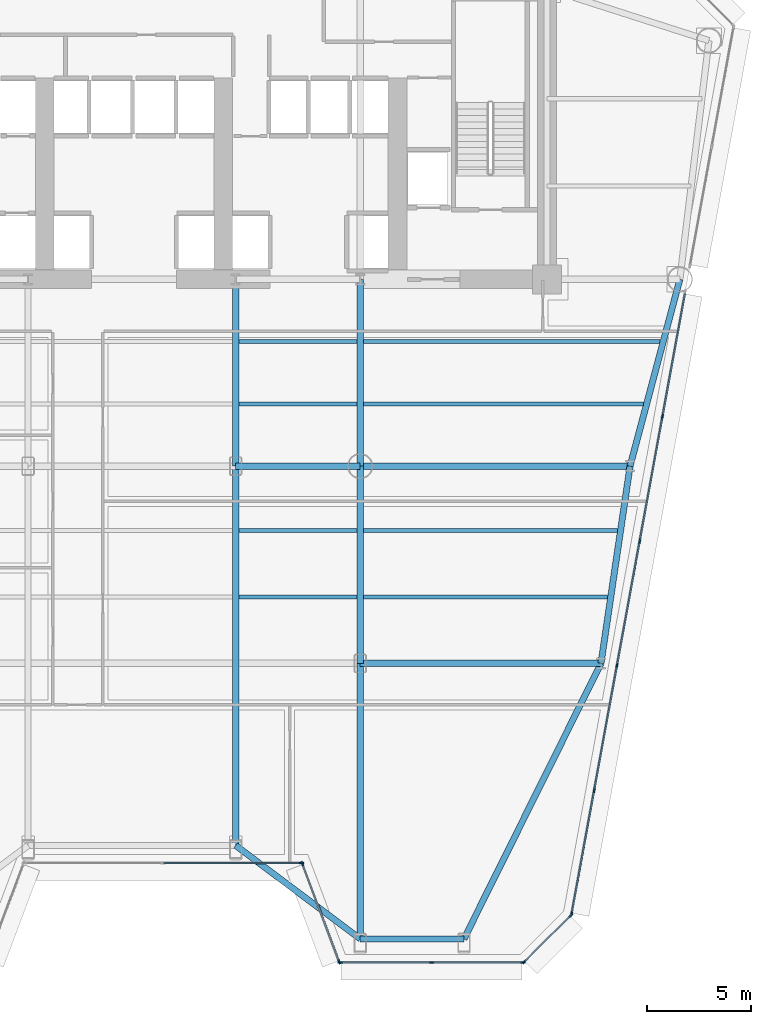
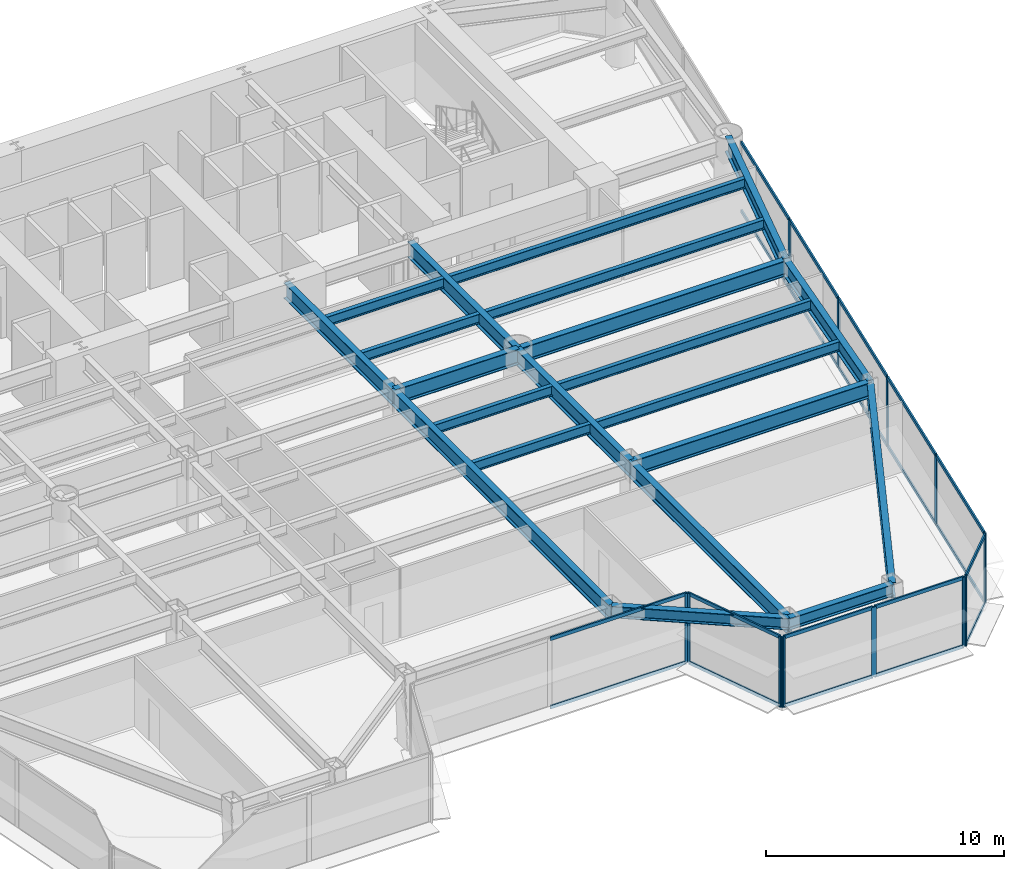
# One storey, part 4 of 14: 33 members, 21 beams, 5 elements without a shape of their own.
"""IFC4 building model written with IfcOpenShell, lengths in metres."""

import ifcopenshell
import ifcopenshell.guid

model = None  # the IFC model being written
_history = None  # IfcOwnerHistory: only IFC2X3 demands one
_inside = {}  # id of a spatial element -> (the spatial element, [elements in it])
_under = {}  # id of a project, library or spatial element -> (it, [spatial elements below it])
_declared = {}  # id of a project -> (the project, [libraries it declares])
_typed = {}  # id of a type object -> (the type object, [elements of that type])
_made_of = {}  # id of a material, layer set ... -> (it, [elements and type objects made of it])


def new_model(schema):
    """Start an empty IFC model of exactly this schema.

    Asked for "IFC4X3", IfcOpenShell would pick the latest addendum, in which some entities
    have other attributes; the version numbers below select the first issue.
    IFC2X3 requires an IfcOwnerHistory on every rooted entity: one is made here for all.
    """
    global model, _history
    if schema == "IFC4X3":
        model = ifcopenshell.file(schema_version=(4, 3, 0, 0))
    else:
        model = ifcopenshell.file(schema=schema)
    _inside.clear()
    _under.clear()
    _declared.clear()
    _typed.clear()
    _made_of.clear()
    _history = None
    if model.schema == "IFC2X3":
        org = make("IfcOrganization", Name="unknown")
        user = make(
            "IfcPersonAndOrganization",
            ThePerson=make("IfcPerson", FamilyName="unknown"),
            TheOrganization=org,
        )
        app = make(
            "IfcApplication",
            ApplicationDeveloper=org,
            Version="unknown",
            ApplicationFullName="unknown",
            ApplicationIdentifier="unknown",
        )
        _history = make(
            "IfcOwnerHistory",
            OwningUser=user,
            OwningApplication=app,
            ChangeAction="ADDED",
            CreationDate=0,
        )
    return model


def make(cls, **values):
    """One entity of the class cls with the attributes given. An attribute that is None is left unset."""
    return model.create_entity(
        cls, **{name: value for name, value in values.items() if value is not None}
    )


def rooted(cls, **values):
    """An entity with a GlobalId (a new one), such as an element, a storey or a relation."""
    return make(cls, GlobalId=ifcopenshell.guid.new(), OwnerHistory=_history, **values)


def si_unit(unit_type, name, prefix=None):
    """IfcSIUnit, for example si_unit("LENGTHUNIT", "METRE", prefix="MILLI")."""
    return make("IfcSIUnit", UnitType=unit_type, Prefix=prefix, Name=name)


def assignment(units):
    """IfcUnitAssignment: the units of a project."""
    return None if units is None else make("IfcUnitAssignment", Units=units)


def point(xyz):
    """IfcCartesianPoint."""
    return None if xyz is None else make("IfcCartesianPoint", Coordinates=xyz)


def direction(xyz):
    """IfcDirection."""
    return None if xyz is None else make("IfcDirection", DirectionRatios=xyz)


def frame(location, z_axis=None, x_axis=None):
    """IfcAxis2Placement3D, a coordinate frame: its origin and axes. An axis left out is left unset."""
    return make(
        "IfcAxis2Placement3D",
        Location=point(location),
        Axis=direction(z_axis),
        RefDirection=direction(x_axis),
    )


def frame_2d(location, x_axis=None):
    """IfcAxis2Placement2D, a coordinate frame in the plane: its origin and x axis."""
    return make(
        "IfcAxis2Placement2D", Location=point(location), RefDirection=direction(x_axis)
    )


def origin():
    """The frame at (0, 0, 0) with its axes left unset."""
    return frame((0.0, 0.0, 0.0))


def origin_2d():
    """The frame at (0, 0) in the plane with its x axis left unset."""
    return frame_2d((0.0, 0.0))


def place(relative_to, where):
    """IfcLocalPlacement: puts the frame where relative to a parent placement (None: the world)."""
    return make(
        "IfcLocalPlacement", PlacementRelTo=relative_to, RelativePlacement=where
    )


def context(
    kind, dimensions, precision=None, world=None, true_north=None, identifier=None
):
    """IfcGeometricRepresentationContext, for example the 3D "Model" context."""
    return make(
        "IfcGeometricRepresentationContext",
        ContextIdentifier=identifier,
        ContextType=kind,
        CoordinateSpaceDimension=dimensions,
        Precision=precision,
        WorldCoordinateSystem=world,
        TrueNorth=true_north,
    )


def subcontext(parent, identifier, kind, view, scale=None):
    """IfcGeometricRepresentationSubContext, for example "Body" below "Model"."""
    return make(
        "IfcGeometricRepresentationSubContext",
        ContextIdentifier=identifier,
        ContextType=kind,
        ParentContext=parent,
        TargetScale=scale,
        TargetView=view,
    )


def project(units=None, contexts=None):
    """IfcProject with its units and contexts."""
    return rooted(
        "IfcProject",
        Name="project",
        RepresentationContexts=contexts,
        UnitsInContext=assignment(units),
    )


def spatial(cls, under=None, at=None, **own):
    """A site, building, storey or space (cls), placed at a placement, below another one or the project."""
    s = rooted(cls, ObjectPlacement=at, **own)
    if under is not None:
        _under.setdefault(under.id(), (under, []))[1].append(s)
    return s


def profile(cls, at=None, kind="AREA", **sizes):
    """A parametric profile (cls). Its sizes go by their IFC names, for example OverallWidth=200.0."""
    return make(cls, ProfileType=kind, Position=at, **sizes)


def rectangle(**sizes):
    """IfcRectangleProfileDef."""
    return profile("IfcRectangleProfileDef", **sizes)


def i_section(**sizes):
    """IfcIShapeProfileDef."""
    return profile("IfcIShapeProfileDef", **sizes)


def extrude(swept, where, along, depth):
    """IfcExtrudedAreaSolid: the profile swept, set in the frame where, extruded along a direction by depth."""
    return make(
        "IfcExtrudedAreaSolid",
        SweptArea=swept,
        Position=where,
        ExtrudedDirection=direction(along),
        Depth=depth,
    )


def shape(context_of_items, identifier, shape_type, items):
    """IfcShapeRepresentation: the items that make up one representation, for example the "Body"."""
    return make(
        "IfcShapeRepresentation",
        ContextOfItems=context_of_items,
        RepresentationIdentifier=identifier,
        RepresentationType=shape_type,
        Items=items,
    )


def source(mapping_origin, context_of_items, identifier, shape_type, items):
    """IfcRepresentationMap: a shape defined once, which mapped items show again and again."""
    return make(
        "IfcRepresentationMap",
        MappingOrigin=mapping_origin,
        MappedRepresentation=shape(context_of_items, identifier, shape_type, items),
    )


def transform(
    local_origin,
    x_axis=None,
    y_axis=None,
    z_axis=None,
    scale=None,
    scale2=None,
    scale3=None,
    uniform=True,
):
    """IfcCartesianTransformationOperator3D, or its non-uniform kind. x_axis, y_axis, z_axis: its Axis1, 2, 3."""
    if uniform:
        return make(
            "IfcCartesianTransformationOperator3D",
            Axis1=direction(x_axis),
            Axis2=direction(y_axis),
            LocalOrigin=point(local_origin),
            Scale=scale,
            Axis3=direction(z_axis),
        )
    return make(
        "IfcCartesianTransformationOperator3DnonUniform",
        Axis1=direction(x_axis),
        Axis2=direction(y_axis),
        LocalOrigin=point(local_origin),
        Scale=scale,
        Axis3=direction(z_axis),
        Scale2=scale2,
        Scale3=scale3,
    )


def mapped(mapping_source, mapping_target):
    """IfcMappedItem: shows the shape of a source again, moved by a transform."""
    return make(
        "IfcMappedItem", MappingSource=mapping_source, MappingTarget=mapping_target
    )


def material(Name=None, Category=None):
    """IfcMaterial."""
    return make("IfcMaterial", Name=Name, Category=Category)


def layer(
    of_material, thickness, ventilated=None, Name=None, Category=None, Priority=None
):
    """IfcMaterialLayer: one layer of a wall or slab, of a material (None: an air gap)."""
    return make(
        "IfcMaterialLayer",
        Material=of_material,
        LayerThickness=thickness,
        IsVentilated=ventilated,
        Name=Name,
        Category=Category,
        Priority=Priority,
    )


def layer_set(layers, Name=None):
    """IfcMaterialLayerSet."""
    return make("IfcMaterialLayerSet", MaterialLayers=layers, LayerSetName=Name)


def material_profile(
    of_material, cross_section, Name=None, Category=None, Priority=None
):
    """IfcMaterialProfile: a cross section and its material."""
    return make(
        "IfcMaterialProfile",
        Name=Name,
        Material=of_material,
        Profile=cross_section,
        Priority=Priority,
        Category=Category,
    )


def profile_set(profiles, Name=None, composite=None):
    """IfcMaterialProfileSet."""
    return make(
        "IfcMaterialProfileSet",
        Name=Name,
        MaterialProfiles=profiles,
        CompositeProfile=composite,
    )


def made_of(thing, what):
    """Note that an element or type object is made of a material, layer set ...; save() writes the relation."""
    if what is not None:
        _made_of.setdefault(what.id(), (what, []))[1].append(thing)
    return thing


def type_object(cls, material=None, **own):
    """A type object (cls), such as IfcWallType, which elements share."""
    return made_of(rooted(cls, **own), material)


def element(
    cls,
    number,
    at=None,
    inside=None,
    cuts=None,
    type_object=None,
    material=None,
    context=None,
    identifier="Body",
    shape_type=None,
    held_by="IfcProductDefinitionShape",
    body=None,
    shapes=None,
    **own,
):
    """One element of the class cls, such as IfcWall. Its Tag is "e" and its number.

    at: its placement. inside: the storey or other place that contains it. cuts: it is an
    opening in that element (IfcRelVoidsElement). A single representation is given by context,
    identifier, shape_type and body (its items); several are given by shapes. held_by: the class
    of the entity that holds the representations. save() writes the other relations.
    """
    e = rooted(cls, Tag="e%d" % number, ObjectPlacement=at, **own)
    if body is not None:
        shapes = [shape(context, identifier, shape_type, body)]
    if shapes is not None:
        e.Representation = make(held_by, Representations=shapes)
    if inside is not None:
        _inside.setdefault(inside.id(), (inside, []))[1].append(e)
    if cuts is not None:
        rooted(
            "IfcRelVoidsElement", RelatingBuildingElement=cuts, RelatedOpeningElement=e
        )
    if type_object is not None:
        _typed.setdefault(type_object.id(), (type_object, []))[1].append(e)
    return made_of(e, material)


def aggregate(whole, parts):
    """IfcRelAggregates: a whole, such as a stair, and the parts it consists of."""
    return rooted("IfcRelAggregates", RelatingObject=whole, RelatedObjects=parts)


def save(model, path):
    """Write the relations noted so far, then the file.

    IfcRelAggregates (storeys below a building ...), IfcRelContainedInSpatialStructure (elements
    in a storey), IfcRelDefinesByType, IfcRelAssociatesMaterial and IfcRelDeclares: one each for
    every whole, place, type object, material and project.
    """
    for whole, parts in _under.values():
        aggregate(whole, parts)
    for where, things in _inside.values():
        rooted(
            "IfcRelContainedInSpatialStructure",
            RelatedElements=things,
            RelatingStructure=where,
        )
    for kind, things in _typed.values():
        rooted("IfcRelDefinesByType", RelatedObjects=things, RelatingType=kind)
    for what, things in _made_of.values():
        rooted("IfcRelAssociatesMaterial", RelatedObjects=things, RelatingMaterial=what)
    for by, libraries in _declared.values():
        rooted("IfcRelDeclares", RelatingContext=by, RelatedDefinitions=libraries)
    model.write(path)


model = new_model("IFC4")

# Units and contexts
model_context = context("Model", 3, precision=1e-05, world=origin(), true_north=direction((0.0, 1.0)))
body_context = subcontext(model_context, "Body", "Model", "MODEL_VIEW")
ifc_project = project(units=[si_unit("LENGTHUNIT", "METRE"), si_unit("AREAUNIT", "SQUARE_METRE"), si_unit("VOLUMEUNIT", "CUBIC_METRE"), si_unit("PLANEANGLEUNIT", "RADIAN"), si_unit("MASSUNIT", "GRAM", prefix="KILO")], contexts=[model_context])

# Site, building, storey
site_placement = place(None, origin())
site = spatial("IfcSite", under=ifc_project, at=site_placement, CompositionType="ELEMENT")
building_placement = place(site_placement, origin())
building = spatial("IfcBuilding", under=site, at=building_placement, Name="Vaeldorn Concourse Tower", CompositionType="ELEMENT")
storey_placement = place(building_placement, frame((0.0, 0.0, 75.800048828125)))
storey = spatial("IfcBuildingStorey", under=building, at=storey_placement, Name="L19", CompositionType="ELEMENT", Elevation=75.800048828125)

# Beams
ifc_material_1 = material(Name="Steel S355", Category="steel")
ifc_material_profile_1 = material_profile(ifc_material_1, i_section(OverallWidth=0.300048828125, OverallDepth=0.800048828125, WebThickness=0.017578125, FlangeThickness=0.032958984375, FilletRadius=0.030029296875, at=origin_2d()), Name="HEB 800")
ifc_profile_set_1 = profile_set([ifc_material_profile_1], Name="Steel S355")
beam_type_1 = type_object("IfcBeamType", Name="BM-PG-HEB800", PredefinedType="BEAM", material=ifc_profile_set_1)
shared_shape_1 = source(origin(), body_context, "Body", "SweptSolid", [
    extrude(i_section(OverallWidth=0.300048828125, OverallDepth=0.800048828125, WebThickness=0.017578125, FlangeThickness=0.032958984375, FilletRadius=0.030029296875, at=origin_2d()), origin(), (0.0, 0.0, 1.0), 6.0),
])
beam_1_placement = place(storey_placement, frame((39.0, 27.5, 3.179931640625), z_axis=(1.0, 0.0, 0.0), x_axis=(0.0, 1.0, 0.0)))
element("IfcBeam", 1, at=beam_1_placement, inside=storey, type_object=beam_type_1, Name="Beam BM-L19-C-TW3-C-TW4", PredefinedType="BEAM", context=body_context, shape_type="MappedRepresentation", body=[
    mapped(shared_shape_1, transform((0.0, 0.0, 0.0), scale=1.0)),
])
shared_shape_2 = source(origin(), body_context, "Body", "SweptSolid", [
    extrude(i_section(OverallWidth=0.300048828125, OverallDepth=0.800048828125, WebThickness=0.017578125, FlangeThickness=0.032958984375, FilletRadius=0.030029296875, at=origin_2d()), origin(), (0.0, 0.0, 1.0), 9.0),
])
for number, where, z_axis, x_axis, name in (
    (2, (39.0, 27.5, 3.179931640625), (0.0, 1.0, 0.0), (-1.0, 0.0, 0.0), "Beam BM-L19-C-TW3-C-FC4"),
    (3, (45.0, 27.5, 3.179931640625), (0.0, 1.0, 0.0), (-1.0, 0.0, 0.0), "Beam BM-L19-C-TW4-C-FC5"),
):
    element("IfcBeam", number, at=place(storey_placement, frame(where, z_axis=z_axis, x_axis=x_axis)), inside=storey, type_object=beam_type_1, Name=name, PredefinedType="BEAM", context=body_context, shape_type="MappedRepresentation", body=[
        mapped(shared_shape_2, transform((0.0, 0.0, 0.0), scale=1.0)),
    ])
shared_shape_3 = source(origin(), body_context, "Body", "SweptSolid", [
    extrude(i_section(OverallWidth=0.300048828125, OverallDepth=0.800048828125, WebThickness=0.017578125, FlangeThickness=0.032958984375, FilletRadius=0.030029296875, at=origin_2d()), origin(), (0.0, 0.0, 1.0), 9.314453125),
])
beam_2_placement = place(storey_placement, frame((60.39990234375, 36.5, 3.179931640625), z_axis=(-0.257652862255, -0.966237549763, 0.0), x_axis=(0.966237549763, -0.257652862255, 0.0)))
element("IfcBeam", 4, at=beam_2_placement, inside=storey, type_object=beam_type_1, Name="Beam BM-L19-C-NE2-C-FLE1", PredefinedType="BEAM", context=body_context, shape_type="MappedRepresentation", body=[
    mapped(shared_shape_3, transform((0.0, 0.0, 0.0), scale=1.0)),
])
shared_shape_4 = source(origin(), body_context, "Body", "SweptSolid", [
    extrude(i_section(OverallWidth=0.300048828125, OverallDepth=0.800048828125, WebThickness=0.017578125, FlangeThickness=0.032958984375, FilletRadius=0.030029296875, at=origin_2d()), origin(), (0.0, 0.0, 1.0), 13.0),
])
beam_3_placement = place(storey_placement, frame((45.0, 27.5, 3.179931640625), z_axis=(1.0, 0.0, 0.0), x_axis=(0.0, 1.0, 0.0)))
element("IfcBeam", 5, at=beam_3_placement, inside=storey, type_object=beam_type_1, Name="Beam BM-L19-C-TW4-C-FLE1", PredefinedType="BEAM", context=body_context, shape_type="MappedRepresentation", body=[
    mapped(shared_shape_4, transform((0.0, 0.0, 0.0), scale=1.0)),
])
ifc_material_profile_2 = material_profile(ifc_material_1, i_section(OverallWidth=0.300048828125, OverallDepth=0.60009765625, WebThickness=0.015380859375, FlangeThickness=0.030029296875, FilletRadius=0.027099609375, at=origin_2d()), Name="HEB 600")
ifc_profile_set_2 = profile_set([ifc_material_profile_2], Name="Steel S355")
beam_type_2 = type_object("IfcBeamType", Name="BM-SP-HEB600", PredefinedType="SPANDREL", material=ifc_profile_set_2)
shared_shape_5 = source(origin(), body_context, "Body", "SweptSolid", [
    extrude(i_section(OverallWidth=0.300048828125, OverallDepth=0.60009765625, WebThickness=0.015380859375, FlangeThickness=0.030029296875, FilletRadius=0.027099609375, at=origin_2d()), origin(), (0.0, 0.0, 1.0), 5.0),
])
beam_4_placement = place(storey_placement, frame((45.0, 4.72509765625, 3.280029296875), z_axis=(1.0, 0.0, 0.0), x_axis=(0.0, 1.0, 0.0)))
element("IfcBeam", 6, at=beam_4_placement, inside=storey, type_object=beam_type_2, Name="Beam BM-L19-C-SF5-C-SF6", PredefinedType="SPANDREL", context=body_context, shape_type="MappedRepresentation", body=[
    mapped(shared_shape_5, transform((0.0, 0.0, 0.0), scale=1.0)),
])
shared_shape_6 = source(origin(), body_context, "Body", "SweptSolid", [
    extrude(i_section(OverallWidth=0.300048828125, OverallDepth=0.60009765625, WebThickness=0.015380859375, FlangeThickness=0.030029296875, FilletRadius=0.027099609375, at=origin_2d()), origin(), (0.0, 0.0, 1.0), 7.5),
])
beam_5_placement = place(storey_placement, frame((39.0, 9.22509765625, 3.280029296875), z_axis=(0.8, -0.6, 0.0), x_axis=(0.6, 0.8, 0.0)))
element("IfcBeam", 7, at=beam_5_placement, inside=storey, type_object=beam_type_2, Name="Beam BM-L19-C-SF4-C-SF5", PredefinedType="SPANDREL", context=body_context, shape_type="MappedRepresentation", body=[
    mapped(shared_shape_6, transform((0.0, 0.0, 0.0), scale=1.0)),
])
shared_shape_7 = source(origin(), body_context, "Body", "SweptSolid", [
    extrude(i_section(OverallWidth=0.300048828125, OverallDepth=0.800048828125, WebThickness=0.017578125, FlangeThickness=0.032958984375, FilletRadius=0.030029296875, at=origin_2d()), origin(), (0.0, 0.0, 1.0), 9.6025390625),
])
beam_6_placement = place(storey_placement, frame((58.0, 27.5, 3.179931640625), z_axis=(-0.145783835977, -0.989316467652, 0.0), x_axis=(0.989316467652, -0.145783835977, 0.0)))
element("IfcBeam", 8, at=beam_6_placement, inside=storey, type_object=beam_type_1, Name="Beam BM-L19-C-FLE1-C-FLE2", PredefinedType="BEAM", context=body_context, shape_type="MappedRepresentation", body=[
    mapped(shared_shape_7, transform((0.0, 0.0, 0.0), scale=1.0)),
])
shared_shape_8 = source(origin(), body_context, "Body", "SweptSolid", [
    extrude(i_section(OverallWidth=0.300048828125, OverallDepth=0.800048828125, WebThickness=0.017578125, FlangeThickness=0.032958984375, FilletRadius=0.030029296875, at=origin_2d()), origin(), (0.0, 0.0, 1.0), 11.60009765625),
])
beam_7_placement = place(storey_placement, frame((45.0, 18.0, 3.179931640625), z_axis=(1.0, 0.0, 0.0), x_axis=(0.0, 1.0, 0.0)))
element("IfcBeam", 9, at=beam_7_placement, inside=storey, type_object=beam_type_1, Name="Beam BM-L19-C-TW6-C-FLE2", PredefinedType="BEAM", context=body_context, shape_type="MappedRepresentation", body=[
    mapped(shared_shape_8, transform((0.0, 0.0, 0.0), scale=1.0)),
])
shared_shape_9 = source(origin(), body_context, "Body", "SweptSolid", [
    extrude(i_section(OverallWidth=0.300048828125, OverallDepth=0.800048828125, WebThickness=0.017578125, FlangeThickness=0.032958984375, FilletRadius=0.030029296875, at=origin_2d()), origin(), (0.0, 0.0, 1.0), 9.5),
])
beam_8_placement = place(storey_placement, frame((45.0, 18.0, 3.179931640625), z_axis=(0.0, 1.0, 0.0), x_axis=(-1.0, 0.0, 0.0)))
element("IfcBeam", 10, at=beam_8_placement, inside=storey, type_object=beam_type_1, Name="Beam BM-L19-C-TW6-C-TW4", PredefinedType="BEAM", context=body_context, shape_type="MappedRepresentation", body=[
    mapped(shared_shape_9, transform((0.0, 0.0, 0.0), scale=1.0)),
])
ifc_material_profile_3 = material_profile(ifc_material_1, i_section(OverallWidth=0.199951171875, OverallDepth=0.5, WebThickness=0.01025390625, FlangeThickness=0.01611328125, FilletRadius=0.02099609375, at=origin_2d()), Name="IPE 500")
ifc_profile_set_3 = profile_set([ifc_material_profile_3], Name="Steel S355")
beam_type_3 = type_object("IfcBeamType", Name="BM-JS-IPE500", PredefinedType="JOIST", material=ifc_profile_set_3)
shared_shape_10 = source(origin(), body_context, "Body", "SweptSolid", [
    extrude(i_section(OverallWidth=0.199951171875, OverallDepth=0.5, WebThickness=0.01025390625, FlangeThickness=0.01611328125, FilletRadius=0.02099609375, at=origin_2d()), origin(), (0.0, 0.0, 1.0), 5.7001953125),
])
for number, where, z_axis, x_axis, name in (
    (11, (39.14990234375, 21.199951171875, 3.329833984375), (1.0, 0.0, 0.0), (0.0, 1.0, 0.0), "Beam JS-L19-E2-212"),
    (12, (39.14990234375, 24.39990234375, 3.329833984375), (1.0, 0.0, 0.0), (0.0, 1.0, 0.0), "Beam JS-L19-E2-244"),
    (13, (39.14990234375, 30.5, 3.329833984375), (1.0, 0.0, 0.0), (0.0, 1.0, 0.0), "Beam JS-L19-E2-305"),
    (14, (39.14990234375, 33.5, 3.329833984375), (1.0, 0.0, 0.0), (0.0, 1.0, 0.0), "Beam JS-L19-E2-335"),
):
    element("IfcBeam", number, at=place(storey_placement, frame(where, z_axis=z_axis, x_axis=x_axis)), inside=storey, type_object=beam_type_3, Name=name, PredefinedType="JOIST", context=body_context, shape_type="MappedRepresentation", body=[
        mapped(shared_shape_10, transform((0.0, 0.0, 0.0), scale=1.0)),
    ])
shared_shape_11 = source(origin(), body_context, "Body", "SweptSolid", [
    extrude(i_section(OverallWidth=0.300048828125, OverallDepth=0.800048828125, WebThickness=0.017578125, FlangeThickness=0.032958984375, FilletRadius=0.030029296875, at=origin_2d()), origin(), (0.0, 0.0, 1.0), 14.8251953125),
])
beam_9_placement = place(storey_placement, frame((50.0, 4.72509765625, 3.179931640625), z_axis=(0.44519677276, 0.895432763263, 0.0), x_axis=(-0.895432763263, 0.44519677276, 0.0)))
element("IfcBeam", 15, at=beam_9_placement, inside=storey, type_object=beam_type_1, Name="Beam BM-L19-C-SF6-C-FLE2", PredefinedType="BEAM", context=body_context, shape_type="MappedRepresentation", body=[
    mapped(shared_shape_11, transform((0.0, 0.0, 0.0), scale=1.0)),
])
shared_shape_12 = source(origin(), body_context, "Body", "SweptSolid", [
    extrude(i_section(OverallWidth=0.300048828125, OverallDepth=0.800048828125, WebThickness=0.017578125, FlangeThickness=0.032958984375, FilletRadius=0.030029296875, at=origin_2d()), origin(), (0.0, 0.0, 1.0), 13.27490234375),
])
beam_10_placement = place(storey_placement, frame((45.0, 4.72509765625, 3.179931640625), z_axis=(0.0, 1.0, 0.0), x_axis=(-1.0, 0.0, 0.0)))
element("IfcBeam", 16, at=beam_10_placement, inside=storey, type_object=beam_type_1, Name="Beam BM-L19-C-SF5-C-TW6", PredefinedType="BEAM", context=body_context, shape_type="MappedRepresentation", body=[
    mapped(shared_shape_12, transform((0.0, 0.0, 0.0), scale=1.0)),
])
shared_shape_13 = source(origin(), body_context, "Body", "SweptSolid", [
    extrude(i_section(OverallWidth=0.300048828125, OverallDepth=0.800048828125, WebThickness=0.017578125, FlangeThickness=0.032958984375, FilletRadius=0.030029296875, at=origin_2d()), origin(), (0.0, 0.0, 1.0), 18.27490234375),
])
beam_11_placement = place(storey_placement, frame((39.0, 9.22509765625, 3.179931640625), z_axis=(0.0, 1.0, 0.0), x_axis=(-1.0, 0.0, 0.0)))
element("IfcBeam", 17, at=beam_11_placement, inside=storey, type_object=beam_type_1, Name="Beam BM-L19-C-SF4-C-TW3", PredefinedType="BEAM", context=body_context, shape_type="MappedRepresentation", body=[
    mapped(shared_shape_13, transform((0.0, 0.0, 0.0), scale=1.0)),
])
shared_shape_14 = source(origin(), body_context, "Body", "SweptSolid", [
    extrude(i_section(OverallWidth=0.199951171875, OverallDepth=0.5, WebThickness=0.01025390625, FlangeThickness=0.01611328125, FilletRadius=0.02099609375, at=origin_2d()), origin(), (0.0, 0.0, 1.0), 11.771728515625),
])
beam_12_placement = place(storey_placement, frame((45.14990234375, 21.199951171875, 3.329833984375), z_axis=(1.0, 0.0, 0.0), x_axis=(0.0, 1.0, 0.0)))
element("IfcBeam", 18, at=beam_12_placement, inside=storey, type_object=beam_type_3, Name="Beam JS-L19-E1-212", PredefinedType="JOIST", context=body_context, shape_type="MappedRepresentation", body=[
    mapped(shared_shape_14, transform((0.0, 0.0, 0.0), scale=1.0)),
])
shared_shape_15 = source(origin(), body_context, "Body", "SweptSolid", [
    extrude(i_section(OverallWidth=0.199951171875, OverallDepth=0.5, WebThickness=0.01025390625, FlangeThickness=0.01611328125, FilletRadius=0.02099609375, at=origin_2d()), origin(), (0.0, 0.0, 1.0), 12.243408203125),
])
beam_13_placement = place(storey_placement, frame((45.14990234375, 24.39990234375, 3.329833984375), z_axis=(1.0, 0.0, 0.0), x_axis=(0.0, 1.0, 0.0)))
element("IfcBeam", 19, at=beam_13_placement, inside=storey, type_object=beam_type_3, Name="Beam JS-L19-E1-244", PredefinedType="JOIST", context=body_context, shape_type="MappedRepresentation", body=[
    mapped(shared_shape_15, transform((0.0, 0.0, 0.0), scale=1.0)),
])
shared_shape_16 = source(origin(), body_context, "Body", "SweptSolid", [
    extrude(i_section(OverallWidth=0.199951171875, OverallDepth=0.5, WebThickness=0.01025390625, FlangeThickness=0.01611328125, FilletRadius=0.02099609375, at=origin_2d()), origin(), (0.0, 0.0, 1.0), 13.5),
])
beam_14_placement = place(storey_placement, frame((45.14990234375, 30.5, 3.329833984375), z_axis=(1.0, 0.0, 0.0), x_axis=(0.0, 1.0, 0.0)))
element("IfcBeam", 20, at=beam_14_placement, inside=storey, type_object=beam_type_3, Name="Beam JS-L19-E1-305", PredefinedType="JOIST", context=body_context, shape_type="MappedRepresentation", body=[
    mapped(shared_shape_16, transform((0.0, 0.0, 0.0), scale=1.0)),
])
shared_shape_17 = source(origin(), body_context, "Body", "SweptSolid", [
    extrude(i_section(OverallWidth=0.199951171875, OverallDepth=0.5, WebThickness=0.01025390625, FlangeThickness=0.01611328125, FilletRadius=0.02099609375, at=origin_2d()), origin(), (0.0, 0.0, 1.0), 14.300048828125),
])
beam_15_placement = place(storey_placement, frame((45.14990234375, 33.5, 3.329833984375), z_axis=(1.0, 0.0, 0.0), x_axis=(0.0, 1.0, 0.0)))
element("IfcBeam", 21, at=beam_15_placement, inside=storey, type_object=beam_type_3, Name="Beam JS-L19-E1-335", PredefinedType="JOIST", context=body_context, shape_type="MappedRepresentation", body=[
    mapped(shared_shape_17, transform((0.0, 0.0, 0.0), scale=1.0)),
])

# Curtain wall, member
ifc_material_2 = material(Name="Anodised Bronze Aluminium", Category="aluminium")
ifc_layer = layer(ifc_material_2, 0.219970703125)
ifc_layer_set = layer_set([ifc_layer], Name="Anodised Bronze Aluminium")
curtain_wall_type = type_object("IfcCurtainWallType", Name="CW-SYS-01", PredefinedType="NOTDEFINED", material=ifc_layer_set)
curtain_wall_1_placement = place(storey_placement, origin())
curtain_wall_1 = element("IfcCurtainWall", 22, at=curtain_wall_1_placement, inside=storey, type_object=curtain_wall_type, Name="Unitised Curtain Wall CW-L19-E03-1", PredefinedType="NOTDEFINED")
ifc_material_profile_4 = material_profile(ifc_material_2, rectangle(XDim=0.074951171875, YDim=0.219970703125, at=origin_2d()), Name="CWM 75x220")
ifc_profile_set_4 = profile_set([ifc_material_profile_4], Name="Anodised Bronze Aluminium")
member_type_1 = type_object("IfcMemberType", Name="CWM-BRONZE-220", PredefinedType="MULLION", material=ifc_profile_set_4)
shared_shape_18 = source(origin(), body_context, "Body", "SweptSolid", [
    extrude(rectangle(XDim=0.074951171875, YDim=0.219970703125, at=origin_2d()), origin(), (0.0, 0.0, 1.0), 3.579833984375),
])
member_1_placement = place(storey_placement, frame((42.16259765625, 8.385986328125, 0.0), z_axis=(0.0, 0.0, 1.0), x_axis=(0.0, 1.0, 0.0)))
member_1 = element("IfcMember", 23, at=member_1_placement, type_object=member_type_1, Name="CW-01 mullion 3", PredefinedType="MULLION", context=body_context, shape_type="MappedRepresentation", body=[
    mapped(shared_shape_18, transform((0.0, 0.0, 0.0), scale=1.0)),
])

# Curtain wall, members
curtain_wall_2_placement = place(storey_placement, origin())
curtain_wall_2 = element("IfcCurtainWall", 24, at=curtain_wall_2_placement, inside=storey, type_object=curtain_wall_type, Name="Unitised Curtain Wall CW-L19-E04-1", PredefinedType="NOTDEFINED")
member_2_placement = place(storey_placement, frame((42.213134765625, 8.35107421875, 0.0), z_axis=(0.0, 0.0, 1.0), x_axis=(0.936329177566, 0.351123441595, 0.0)))
member_2 = element("IfcMember", 25, at=member_2_placement, type_object=member_type_1, Name="CW-01 mullion 1", PredefinedType="MULLION", context=body_context, shape_type="MappedRepresentation", body=[
    mapped(shared_shape_18, transform((0.0, 0.0, 0.0), scale=1.0)),
])
member_3_placement = place(storey_placement, frame((43.98681640625, 3.62109375, 0.0), z_axis=(0.0, 0.0, 1.0), x_axis=(0.936329177566, 0.351123441595, 0.0)))
member_3 = element("IfcMember", 26, at=member_3_placement, type_object=member_type_1, Name="CW-01 mullion 2", PredefinedType="MULLION", context=body_context, shape_type="MappedRepresentation", body=[
    mapped(shared_shape_18, transform((0.0, 0.0, 0.0), scale=1.0)),
])

curtain_wall_3_placement = place(storey_placement, origin())
curtain_wall_3 = element("IfcCurtainWall", 27, at=curtain_wall_3_placement, inside=storey, type_object=curtain_wall_type, Name="Unitised Curtain Wall CW-L19-E05-1", PredefinedType="NOTDEFINED")
member_4_placement = place(storey_placement, frame((44.03759765625, 3.586181640625, 0.0), z_axis=(0.0, 0.0, 1.0), x_axis=(0.0, 1.0, 0.0)))
member_4 = element("IfcMember", 28, at=member_4_placement, type_object=member_type_1, Name="CW-01 mullion 1", PredefinedType="MULLION", context=body_context, shape_type="MappedRepresentation", body=[
    mapped(shared_shape_18, transform((0.0, 0.0, 0.0), scale=1.0)),
])
member_5_placement = place(storey_placement, frame((48.438232421875, 3.586181640625, 0.0), z_axis=(0.0, 0.0, 1.0), x_axis=(0.0, 1.0, 0.0)))
member_5 = element("IfcMember", 29, at=member_5_placement, type_object=member_type_1, Name="CW-01 mullion 2", PredefinedType="MULLION", context=body_context, shape_type="MappedRepresentation", body=[
    mapped(shared_shape_18, transform((0.0, 0.0, 0.0), scale=1.0)),
])
member_6_placement = place(storey_placement, frame((52.839111328125, 3.586181640625, 0.0), z_axis=(0.0, 0.0, 1.0), x_axis=(0.0, 1.0, 0.0)))
member_6 = element("IfcMember", 30, at=member_6_placement, type_object=member_type_1, Name="CW-01 mullion 3", PredefinedType="MULLION", context=body_context, shape_type="MappedRepresentation", body=[
    mapped(shared_shape_18, transform((0.0, 0.0, 0.0), scale=1.0)),
])

curtain_wall_4_placement = place(storey_placement, origin())
curtain_wall_4 = element("IfcCurtainWall", 31, at=curtain_wall_4_placement, inside=storey, type_object=curtain_wall_type, Name="Unitised Curtain Wall CW-L19-E06-1", PredefinedType="NOTDEFINED")
member_7_placement = place(storey_placement, frame((52.9033203125, 3.612548828125, 0.0), z_axis=(0.0, 0.0, 1.0), x_axis=(-0.707106781187, 0.707106781187, 0.0)))
member_7 = element("IfcMember", 32, at=member_7_placement, type_object=member_type_1, Name="CW-01 mullion 1", PredefinedType="MULLION", context=body_context, shape_type="MappedRepresentation", body=[
    mapped(shared_shape_18, transform((0.0, 0.0, 0.0), scale=1.0)),
])
member_8_placement = place(storey_placement, frame((55.150146484375, 5.859619140625, 0.0), z_axis=(0.0, 0.0, 1.0), x_axis=(-0.707106781187, 0.707106781187, 0.0)))
member_8 = element("IfcMember", 33, at=member_8_placement, type_object=member_type_1, Name="CW-01 mullion 2", PredefinedType="MULLION", context=body_context, shape_type="MappedRepresentation", body=[
    mapped(shared_shape_18, transform((0.0, 0.0, 0.0), scale=1.0)),
])

curtain_wall_5_placement = place(storey_placement, origin())
curtain_wall_5 = element("IfcCurtainWall", 34, at=curtain_wall_5_placement, inside=storey, type_object=curtain_wall_type, Name="Unitised Curtain Wall CW-L19-E07-1", PredefinedType="NOTDEFINED")
member_9_placement = place(storey_placement, frame((55.183349609375, 5.923095703125, 0.0), z_axis=(0.0, 0.0, 1.0), x_axis=(-0.983712105804, 0.179751197201, 0.0)))
member_9 = element("IfcMember", 35, at=member_9_placement, type_object=member_type_1, Name="CW-01 mullion 1", PredefinedType="MULLION", context=body_context, shape_type="MappedRepresentation", body=[
    mapped(shared_shape_18, transform((0.0, 0.0, 0.0), scale=1.0)),
])
member_10_placement = place(storey_placement, frame((56.27294921875, 11.885009765625, 0.0), z_axis=(0.0, 0.0, 1.0), x_axis=(-0.983712105804, 0.179751197201, 0.0)))
member_10 = element("IfcMember", 36, at=member_10_placement, type_object=member_type_1, Name="CW-01 mullion 2", PredefinedType="MULLION", context=body_context, shape_type="MappedRepresentation", body=[
    mapped(shared_shape_18, transform((0.0, 0.0, 0.0), scale=1.0)),
])
member_11_placement = place(storey_placement, frame((57.369140625, 17.8837890625, 0.0), z_axis=(0.0, 0.0, 1.0), x_axis=(-0.983712105804, 0.179751197201, 0.0)))
member_11 = element("IfcMember", 37, at=member_11_placement, type_object=member_type_1, Name="CW-01 mullion 3", PredefinedType="MULLION", context=body_context, shape_type="MappedRepresentation", body=[
    mapped(shared_shape_18, transform((0.0, 0.0, 0.0), scale=1.0)),
])
member_12_placement = place(storey_placement, frame((58.465087890625, 23.8828125, 0.0), z_axis=(0.0, 0.0, 1.0), x_axis=(-0.983712105804, 0.179751197201, 0.0)))
member_12 = element("IfcMember", 38, at=member_12_placement, type_object=member_type_1, Name="CW-01 mullion 4", PredefinedType="MULLION", context=body_context, shape_type="MappedRepresentation", body=[
    mapped(shared_shape_18, transform((0.0, 0.0, 0.0), scale=1.0)),
])
member_13_placement = place(storey_placement, frame((59.561279296875, 29.881591796875, 0.0), z_axis=(0.0, 0.0, 1.0), x_axis=(-0.983712105804, 0.179751197201, 0.0)))
member_13 = element("IfcMember", 39, at=member_13_placement, type_object=member_type_1, Name="CW-01 mullion 5", PredefinedType="MULLION", context=body_context, shape_type="MappedRepresentation", body=[
    mapped(shared_shape_18, transform((0.0, 0.0, 0.0), scale=1.0)),
])

# Member
ifc_material_profile_5 = material_profile(ifc_material_2, rectangle(XDim=0.074951171875, YDim=0.179931640625, at=origin_2d()), Name="CWT 75x180")
ifc_profile_set_5 = profile_set([ifc_material_profile_5], Name="Anodised Bronze Aluminium")
member_type_2 = type_object("IfcMemberType", Name="CWT-BRONZE-180", PredefinedType="USERDEFINED", material=ifc_profile_set_5)
shared_shape_19 = source(origin(), body_context, "Body", "SweptSolid", [
    extrude(rectangle(XDim=0.074951171875, YDim=0.179931640625, at=origin_2d()), origin(), (0.0, 0.0, 1.0), 6.58740234375),
])
member_14_placement = place(storey_placement, frame((35.53759765625, 8.385986328125, 0.037353515625), z_axis=(1.0, 0.0, 0.0), x_axis=(0.0, 1.0, 0.0)))
member_14 = element("IfcMember", 40, at=member_14_placement, type_object=member_type_2, Name="CW-01 transom 2.1", ObjectType="TRANSOM", PredefinedType="USERDEFINED", context=body_context, shape_type="MappedRepresentation", body=[
    mapped(shared_shape_19, transform((0.0, 0.0, 0.0), scale=1.0)),
])

member_15_placement = place(storey_placement, frame((35.53759765625, 8.385986328125, 3.54248046875), z_axis=(1.0, 0.0, 0.0), x_axis=(0.0, 1.0, 0.0)))
member_15 = element("IfcMember", 41, at=member_15_placement, type_object=member_type_2, Name="CW-01 transom 2.2", ObjectType="TRANSOM", PredefinedType="USERDEFINED", context=body_context, shape_type="MappedRepresentation", body=[
    mapped(shared_shape_19, transform((0.0, 0.0, 0.0), scale=1.0)),
])

aggregate(curtain_wall_1, [member_1, member_14, member_15])

shared_shape_20 = source(origin(), body_context, "Body", "SweptSolid", [
    extrude(rectangle(XDim=0.074951171875, YDim=0.179931640625, at=origin_2d()), origin(), (0.0, 0.0, 1.0), 3.102783203125),
])
member_16_placement = place(storey_placement, frame((52.9296875, 3.63916015625, 0.037353515625), z_axis=(0.707146122816, 0.707067437368, 0.0), x_axis=(-0.707067437368, 0.707146122816, 0.0)))
member_16 = element("IfcMember", 42, at=member_16_placement, type_object=member_type_2, Name="CW-01 transom 1.1", ObjectType="TRANSOM", PredefinedType="USERDEFINED", context=body_context, shape_type="MappedRepresentation", body=[
    mapped(shared_shape_20, transform((0.0, 0.0, 0.0), scale=1.0)),
])

member_17_placement = place(storey_placement, frame((52.9296875, 3.63916015625, 3.54248046875), z_axis=(0.707146122816, 0.707067437368, 0.0), x_axis=(-0.707067437368, 0.707146122816, 0.0)))
member_17 = element("IfcMember", 43, at=member_17_placement, type_object=member_type_2, Name="CW-01 transom 1.2", ObjectType="TRANSOM", PredefinedType="USERDEFINED", context=body_context, shape_type="MappedRepresentation", body=[
    mapped(shared_shape_20, transform((0.0, 0.0, 0.0), scale=1.0)),
])

aggregate(curtain_wall_4, [member_7, member_8, member_16, member_17])

shared_shape_21 = source(origin(), body_context, "Body", "SweptSolid", [
    extrude(rectangle(XDim=0.074951171875, YDim=0.179931640625, at=origin_2d()), origin(), (0.0, 0.0, 1.0), 4.9765625),
])
member_18_placement = place(storey_placement, frame((42.226318359375, 8.31591796875, 0.037353515625), z_axis=(0.351112688987, -0.936333209724, 0.0), x_axis=(0.936333209724, 0.351112688987, 0.0)))
member_18 = element("IfcMember", 44, at=member_18_placement, type_object=member_type_2, Name="CW-01 transom 1.1", ObjectType="TRANSOM", PredefinedType="USERDEFINED", context=body_context, shape_type="MappedRepresentation", body=[
    mapped(shared_shape_21, transform((0.0, 0.0, 0.0), scale=1.0)),
])

member_19_placement = place(storey_placement, frame((42.226318359375, 8.31591796875, 3.54248046875), z_axis=(0.351112688987, -0.936333209724, 0.0), x_axis=(0.936333209724, 0.351112688987, 0.0)))
member_19 = element("IfcMember", 45, at=member_19_placement, type_object=member_type_2, Name="CW-01 transom 1.2", ObjectType="TRANSOM", PredefinedType="USERDEFINED", context=body_context, shape_type="MappedRepresentation", body=[
    mapped(shared_shape_21, transform((0.0, 0.0, 0.0), scale=1.0)),
])

aggregate(curtain_wall_2, [member_2, member_3, member_18, member_19])

shared_shape_22 = source(origin(), body_context, "Body", "SweptSolid", [
    extrude(rectangle(XDim=0.074951171875, YDim=0.179931640625, at=origin_2d()), origin(), (0.0, 0.0, 1.0), 4.325927734375),
])
member_20_placement = place(storey_placement, frame((44.074951171875, 3.586181640625, 0.037353515625), z_axis=(1.0, 0.0, 0.0), x_axis=(0.0, 1.0, 0.0)))
member_20 = element("IfcMember", 46, at=member_20_placement, type_object=member_type_2, Name="CW-01 transom 1.1", ObjectType="TRANSOM", PredefinedType="USERDEFINED", context=body_context, shape_type="MappedRepresentation", body=[
    mapped(shared_shape_22, transform((0.0, 0.0, 0.0), scale=1.0)),
])

member_21_placement = place(storey_placement, frame((44.074951171875, 3.586181640625, 3.54248046875), z_axis=(1.0, 0.0, 0.0), x_axis=(0.0, 1.0, 0.0)))
member_21 = element("IfcMember", 47, at=member_21_placement, type_object=member_type_2, Name="CW-01 transom 1.2", ObjectType="TRANSOM", PredefinedType="USERDEFINED", context=body_context, shape_type="MappedRepresentation", body=[
    mapped(shared_shape_22, transform((0.0, 0.0, 0.0), scale=1.0)),
])

member_22_placement = place(storey_placement, frame((48.475830078125, 3.586181640625, 0.037353515625), z_axis=(1.0, 0.0, 0.0), x_axis=(0.0, 1.0, 0.0)))
member_22 = element("IfcMember", 48, at=member_22_placement, type_object=member_type_2, Name="CW-01 transom 2.1", ObjectType="TRANSOM", PredefinedType="USERDEFINED", context=body_context, shape_type="MappedRepresentation", body=[
    mapped(shared_shape_22, transform((0.0, 0.0, 0.0), scale=1.0)),
])

member_23_placement = place(storey_placement, frame((48.475830078125, 3.586181640625, 3.54248046875), z_axis=(1.0, 0.0, 0.0), x_axis=(0.0, 1.0, 0.0)))
member_23 = element("IfcMember", 49, at=member_23_placement, type_object=member_type_2, Name="CW-01 transom 2.2", ObjectType="TRANSOM", PredefinedType="USERDEFINED", context=body_context, shape_type="MappedRepresentation", body=[
    mapped(shared_shape_22, transform((0.0, 0.0, 0.0), scale=1.0)),
])

aggregate(curtain_wall_3, [member_4, member_5, member_6, member_20, member_21, member_22, member_23])

shared_shape_23 = source(origin(), body_context, "Body", "SweptSolid", [
    extrude(rectangle(XDim=0.074951171875, YDim=0.179931640625, at=origin_2d()), origin(), (0.0, 0.0, 1.0), 5.985595703125),
])
member_24_placement = place(storey_placement, frame((55.190185546875, 5.9599609375, 0.037353515625), z_axis=(0.17975038977, 0.983712253343, 0.0), x_axis=(-0.983712253343, 0.17975038977, 0.0)))
member_24 = element("IfcMember", 50, at=member_24_placement, type_object=member_type_2, Name="CW-01 transom 1.1", ObjectType="TRANSOM", PredefinedType="USERDEFINED", context=body_context, shape_type="MappedRepresentation", body=[
    mapped(shared_shape_23, transform((0.0, 0.0, 0.0), scale=1.0)),
])

member_25_placement = place(storey_placement, frame((55.190185546875, 5.9599609375, 3.54248046875), z_axis=(0.17975038977, 0.983712253343, 0.0), x_axis=(-0.983712253343, 0.17975038977, 0.0)))
member_25 = element("IfcMember", 51, at=member_25_placement, type_object=member_type_2, Name="CW-01 transom 1.2", ObjectType="TRANSOM", PredefinedType="USERDEFINED", context=body_context, shape_type="MappedRepresentation", body=[
    mapped(shared_shape_23, transform((0.0, 0.0, 0.0), scale=1.0)),
])

member_26_placement = place(storey_placement, frame((59.568115234375, 29.91845703125, 0.037353515625), z_axis=(0.17975038977, 0.983712253343, 0.0), x_axis=(-0.983712253343, 0.17975038977, 0.0)))
member_26 = element("IfcMember", 52, at=member_26_placement, type_object=member_type_2, Name="CW-01 transom 5.1", ObjectType="TRANSOM", PredefinedType="USERDEFINED", context=body_context, shape_type="MappedRepresentation", body=[
    mapped(shared_shape_23, transform((0.0, 0.0, 0.0), scale=1.0)),
])

member_27_placement = place(storey_placement, frame((59.568115234375, 29.91845703125, 3.54248046875), z_axis=(0.17975038977, 0.983712253343, 0.0), x_axis=(-0.983712253343, 0.17975038977, 0.0)))
member_27 = element("IfcMember", 53, at=member_27_placement, type_object=member_type_2, Name="CW-01 transom 5.2", ObjectType="TRANSOM", PredefinedType="USERDEFINED", context=body_context, shape_type="MappedRepresentation", body=[
    mapped(shared_shape_23, transform((0.0, 0.0, 0.0), scale=1.0)),
])

shared_shape_24 = source(origin(), body_context, "Body", "SweptSolid", [
    extrude(rectangle(XDim=0.074951171875, YDim=0.179931640625, at=origin_2d()), origin(), (0.0, 0.0, 1.0), 6.023193359375),
])
member_28_placement = place(storey_placement, frame((56.279541015625, 11.921875, 0.037353515625), z_axis=(0.179766404259, 0.983709326935, 0.0), x_axis=(-0.983709326935, 0.179766404259, 0.0)))
member_28 = element("IfcMember", 54, at=member_28_placement, type_object=member_type_2, Name="CW-01 transom 2.1", ObjectType="TRANSOM", PredefinedType="USERDEFINED", context=body_context, shape_type="MappedRepresentation", body=[
    mapped(shared_shape_24, transform((0.0, 0.0, 0.0), scale=1.0)),
])

member_29_placement = place(storey_placement, frame((56.279541015625, 11.921875, 3.54248046875), z_axis=(0.179766404259, 0.983709326935, 0.0), x_axis=(-0.983709326935, 0.179766404259, 0.0)))
member_29 = element("IfcMember", 55, at=member_29_placement, type_object=member_type_2, Name="CW-01 transom 2.2", ObjectType="TRANSOM", PredefinedType="USERDEFINED", context=body_context, shape_type="MappedRepresentation", body=[
    mapped(shared_shape_24, transform((0.0, 0.0, 0.0), scale=1.0)),
])

member_30_placement = place(storey_placement, frame((58.471923828125, 23.919677734375, 0.037353515625), z_axis=(0.179766404259, 0.983709326935, 0.0), x_axis=(-0.983709326935, 0.179766404259, 0.0)))
member_30 = element("IfcMember", 56, at=member_30_placement, type_object=member_type_2, Name="CW-01 transom 4.1", ObjectType="TRANSOM", PredefinedType="USERDEFINED", context=body_context, shape_type="MappedRepresentation", body=[
    mapped(shared_shape_24, transform((0.0, 0.0, 0.0), scale=1.0)),
])

member_31_placement = place(storey_placement, frame((58.471923828125, 23.919677734375, 3.54248046875), z_axis=(0.179766404259, 0.983709326935, 0.0), x_axis=(-0.983709326935, 0.179766404259, 0.0)))
member_31 = element("IfcMember", 57, at=member_31_placement, type_object=member_type_2, Name="CW-01 transom 4.2", ObjectType="TRANSOM", PredefinedType="USERDEFINED", context=body_context, shape_type="MappedRepresentation", body=[
    mapped(shared_shape_24, transform((0.0, 0.0, 0.0), scale=1.0)),
])

shared_shape_25 = source(origin(), body_context, "Body", "SweptSolid", [
    extrude(rectangle(XDim=0.074951171875, YDim=0.179931640625, at=origin_2d()), origin(), (0.0, 0.0, 1.0), 6.0234375),
])
member_32_placement = place(storey_placement, frame((57.375732421875, 17.920654296875, 0.037353515625), z_axis=(0.179759236668, 0.983710636739, 0.0), x_axis=(-0.983710636739, 0.179759236668, 0.0)))
member_32 = element("IfcMember", 58, at=member_32_placement, type_object=member_type_2, Name="CW-01 transom 3.1", ObjectType="TRANSOM", PredefinedType="USERDEFINED", context=body_context, shape_type="MappedRepresentation", body=[
    mapped(shared_shape_25, transform((0.0, 0.0, 0.0), scale=1.0)),
])

member_33_placement = place(storey_placement, frame((57.375732421875, 17.920654296875, 3.54248046875), z_axis=(0.179759236668, 0.983710636739, 0.0), x_axis=(-0.983710636739, 0.179759236668, 0.0)))
member_33 = element("IfcMember", 59, at=member_33_placement, type_object=member_type_2, Name="CW-01 transom 3.2", ObjectType="TRANSOM", PredefinedType="USERDEFINED", context=body_context, shape_type="MappedRepresentation", body=[
    mapped(shared_shape_25, transform((0.0, 0.0, 0.0), scale=1.0)),
])

aggregate(curtain_wall_5, [member_9, member_10, member_11, member_12, member_13, member_24, member_25, member_28, member_29, member_32, member_33, member_30, member_31, member_26, member_27])

save(model, "model.ifc")
